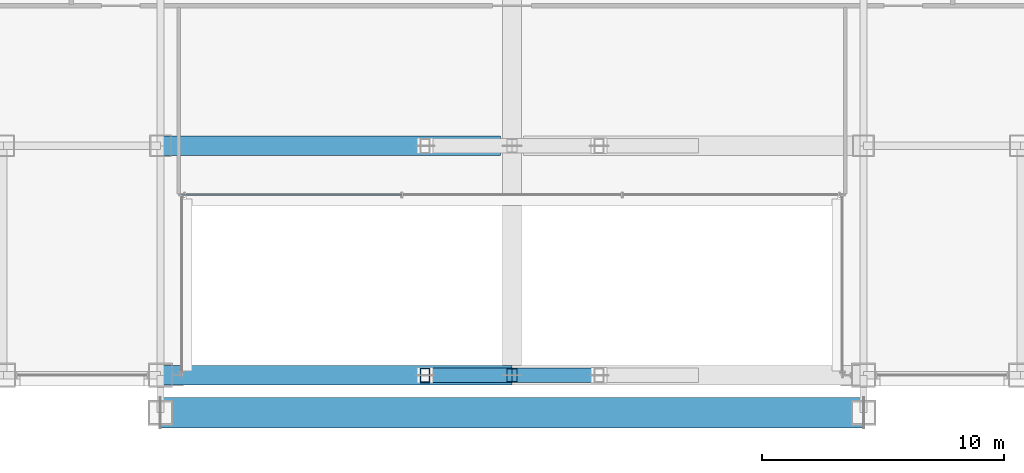
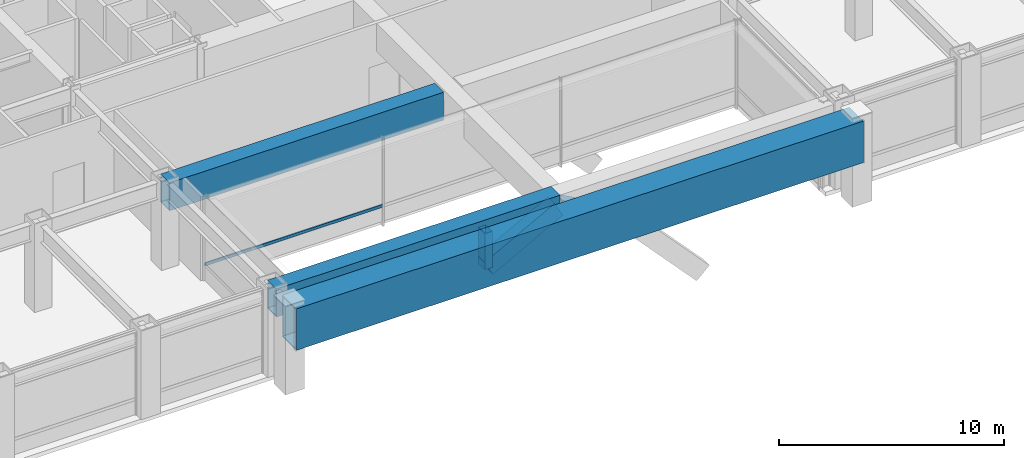
# One storey, part 4 of 37: 4 members, 3 beams, 1 element without a shape of its own.
"""IFC4 building model written with IfcOpenShell, lengths in metres."""

from ifc_helpers import new_model, si_unit, direction, frame, origin, origin_2d, place, context, subcontext, project, spatial, hollow_rectangle, extrude, material, layer, layer_set, material_profile, profile_set, type_object, element, aggregate, save


model = new_model("IFC4")

# Units and contexts
model_context = context("Model", 3, precision=1e-05, world=origin(), true_north=direction((0.0, 1.0)))
body_context = subcontext(model_context, "Body", "Model", "MODEL_VIEW")
ifc_project = project(units=[si_unit("LENGTHUNIT", "METRE"), si_unit("AREAUNIT", "SQUARE_METRE"), si_unit("VOLUMEUNIT", "CUBIC_METRE"), si_unit("PLANEANGLEUNIT", "RADIAN"), si_unit("MASSUNIT", "GRAM", prefix="KILO")], contexts=[model_context])

# Site, building, storey
site_placement = place(None, origin())
site = spatial("IfcSite", under=ifc_project, at=site_placement, CompositionType="ELEMENT")
building_placement = place(site_placement, origin())
building = spatial("IfcBuilding", under=site, at=building_placement, Name="Brelmoor Portico Tower", CompositionType="ELEMENT")
storey_placement = place(building_placement, frame((0.0, 0.0, 14.39990234375)))
storey = spatial("IfcBuildingStorey", under=building, at=storey_placement, Name="L03", CompositionType="ELEMENT", Elevation=14.39990234375)

# Beams
ifc_material_1 = material(Name="Steel Q420B", Category="steel")
ifc_material_profile_1 = material_profile(ifc_material_1, hollow_rectangle(XDim=1.25, YDim=2.25, WallThickness=0.054931640625, at=origin_2d()), Name="BOX 1250x2250x55")
ifc_profile_set_1 = profile_set([ifc_material_profile_1], Name="Steel Q420B")
beam_type_1 = type_object("IfcBeamType", Name="BM-EPHDR-2250", PredefinedType="BEAM", material=ifc_profile_set_1)
beam_1_placement = place(storey_placement, frame((-14.550048828125, -29.10009765625, 3.455078125), z_axis=(1.0, 0.0, 0.0), x_axis=(0.0, 1.0, 0.0)))
element("IfcBeam", 1, at=beam_1_placement, inside=storey, type_object=beam_type_1, Name="L03 Giant Arch Entrance Portal Header Beam S", PredefinedType="BEAM", context=body_context, shape_type="SweptSolid", body=[
    extrude(hollow_rectangle(XDim=1.25, YDim=2.25, WallThickness=0.054931640625, at=origin_2d()), origin(), (0.0, 0.0, 1.0), 29.10009765625),
])
ifc_material_profile_2 = material_profile(ifc_material_1, hollow_rectangle(XDim=0.800048828125, YDim=1.52001953125, WallThickness=0.044921875, at=origin_2d()), Name="BOX 800x1520x45")
ifc_profile_set_2 = profile_set([ifc_material_profile_2], Name="Steel Q420B")
beam_type_2 = type_object("IfcBeamType", Name="BM-TG-TIE", PredefinedType="BEAM", material=ifc_profile_set_2)
beam_2_placement = place(storey_placement, frame((-14.550048828125, -27.550048828125, 3.820068359375), z_axis=(1.0, 0.0, 0.0), x_axis=(0.0, 1.0, 0.0)))
element("IfcBeam", 2, at=beam_2_placement, inside=storey, type_object=beam_type_2, Name="L03 Giant Arch Bridge Transfer Box Girder S1W", PredefinedType="BEAM", context=body_context, shape_type="SweptSolid", body=[
    extrude(hollow_rectangle(XDim=0.800048828125, YDim=1.52001953125, WallThickness=0.044921875, at=origin_2d()), origin(), (0.0, 0.0, 1.0), 14.550048828125),
])
beam_3_placement = place(storey_placement, frame((-14.550048828125, -18.050048828125, 3.820068359375), z_axis=(1.0, 0.0, 0.0), x_axis=(0.0, 1.0, 0.0)))
element("IfcBeam", 3, at=beam_3_placement, inside=storey, type_object=beam_type_2, Name="L03 Giant Arch Bridge Transfer Box Girder S2W", PredefinedType="BEAM", context=body_context, shape_type="SweptSolid", body=[
    extrude(hollow_rectangle(XDim=0.800048828125, YDim=1.52001953125, WallThickness=0.044921875, at=origin_2d()), origin(), (0.0, 0.0, 1.0), 14.070068359375),
])

# Members
ifc_material_profile_3 = material_profile(ifc_material_1, hollow_rectangle(XDim=0.60009765625, YDim=0.89990234375, WallThickness=0.035888671875, at=origin_2d()), Name="RHS 600x900x36")
ifc_profile_set_3 = profile_set([ifc_material_profile_3], Name="Steel Q420B")
member_type_1 = type_object("IfcMemberType", Name="MB-ARCH-RIB", PredefinedType="CHORD", material=ifc_profile_set_3)
for number, where, z_axis, x_axis, name in (
    (4, (-3.60009765625, -27.550048828125, 1.800048828125), (0.878777744098, 0.0, 0.477231261002), (0.0, 1.0, 0.0), "Giant Portico Arch Rib S1-4"),
    (5, (0.0, -27.550048828125, 3.755126953125), (0.878777744098, 0.0, -0.477231261002), (0.0, 1.0, 0.0), "Giant Portico Arch Rib S1-5"),
):
    element("IfcMember", number, at=place(storey_placement, frame(where, z_axis=z_axis, x_axis=x_axis)), inside=storey, type_object=member_type_1, Name=name, PredefinedType="CHORD", context=body_context, shape_type="SweptSolid", body=[
        extrude(hollow_rectangle(XDim=0.60009765625, YDim=0.89990234375, WallThickness=0.035888671875, at=origin_2d()), origin(), (0.0, 0.0, 1.0), 4.0966796875),
    ])
ifc_material_2 = material(Name="Steel Q355B", Category="steel")
ifc_material_profile_4 = material_profile(ifc_material_2, hollow_rectangle(XDim=0.39990234375, YDim=0.60009765625, WallThickness=0.02392578125, at=origin_2d()), Name="RHS 400x600x24")
ifc_profile_set_4 = profile_set([ifc_material_profile_4], Name="Steel Q355B")
member_type_2 = type_object("IfcMemberType", Name="MB-ARCH-STRUT", PredefinedType="BRACE", material=ifc_profile_set_4)
member_1_placement = place(storey_placement, frame((-3.60009765625, -27.550048828125, 1.800048828125), z_axis=(0.0, 0.0, 1.0), x_axis=(1.0, 0.0, 0.0)))
element("IfcMember", 6, at=member_1_placement, inside=storey, type_object=member_type_2, Name="Portico Arch Spandrel Strut S1-3", PredefinedType="BRACE", context=body_context, shape_type="SweptSolid", body=[
    extrude(hollow_rectangle(XDim=0.39990234375, YDim=0.60009765625, WallThickness=0.02392578125, at=origin_2d()), origin(), (0.0, 0.0, 1.0), 1.955078125),
])

# Curtain wall, member
ifc_material_3 = material(Name="Anodised Aluminium Alloy 6063-T6", Category="aluminium")
ifc_layer = layer(ifc_material_3, 0.179931640625)
ifc_layer_set = layer_set([ifc_layer], Name="Anodised Aluminium Alloy 6063-T6")
curtain_wall_type = type_object("IfcCurtainWallType", Name="CW-PODIUM-ARCH", PredefinedType="NOTDEFINED", material=ifc_layer_set)
curtain_wall_placement = place(storey_placement, origin())
curtain_wall = element("IfcCurtainWall", 7, at=curtain_wall_placement, inside=storey, type_object=curtain_wall_type, Name="L03 Curtain Wall CW-L03-05", PredefinedType="NOTDEFINED")
ifc_material_profile_5 = material_profile(ifc_material_3, hollow_rectangle(XDim=0.070068359375, YDim=0.159912109375, WallThickness=0.00390625, at=origin_2d()), Name="ALU TRANSOM 70x160")
ifc_profile_set_5 = profile_set([ifc_material_profile_5], Name="Anodised Aluminium Alloy 6063-T6")
member_type_3 = type_object("IfcMemberType", Name="MB-CW-TRAN-160", PredefinedType="USERDEFINED", material=ifc_profile_set_5)
member_2_placement = place(storey_placement, frame((-13.679931640625, -20.080078125, 0.85009765625), z_axis=(1.0, 0.0, 0.0), x_axis=(0.0, 1.0, 0.0)))
member_2 = element("IfcMember", 8, at=member_2_placement, type_object=member_type_3, Name="CW-L03-05 Transom 1-00", ObjectType="TRANSOM", PredefinedType="USERDEFINED", context=body_context, shape_type="SweptSolid", body=[
    extrude(hollow_rectangle(XDim=0.070068359375, YDim=0.159912109375, WallThickness=0.00390625, at=origin_2d()), origin(), (0.0, 0.0, 1.0), 9.119873046875),
])
aggregate(curtain_wall, [member_2])

save(model, "model.ifc")
